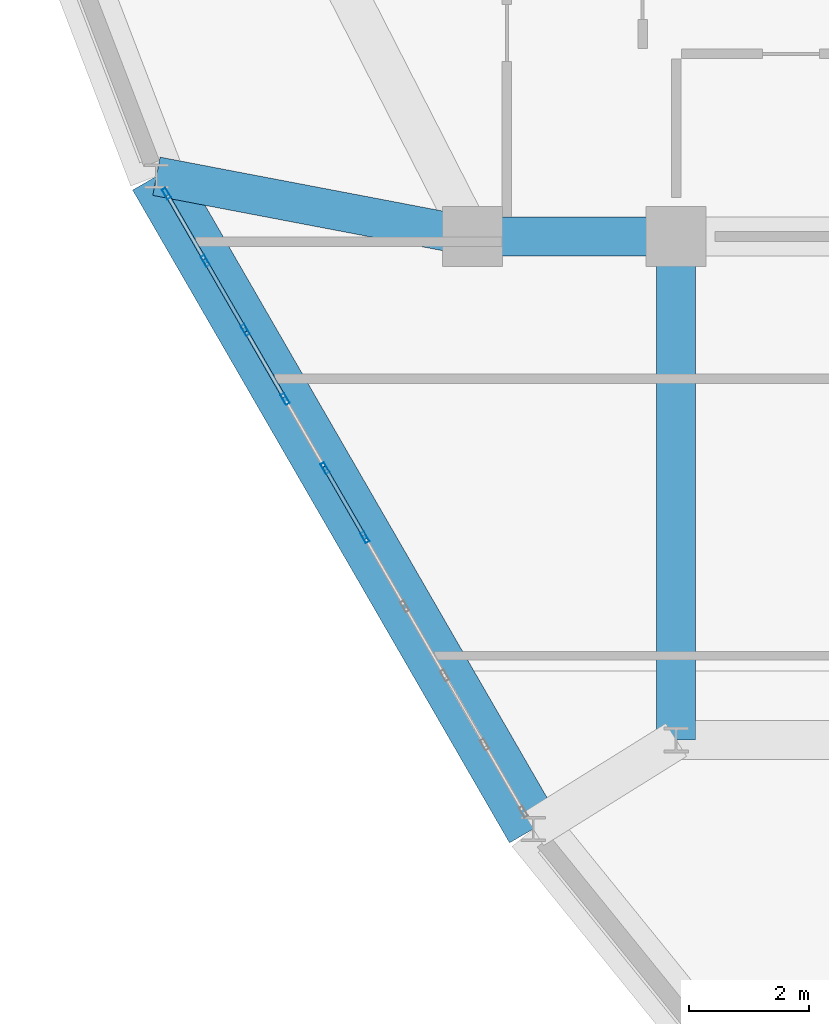
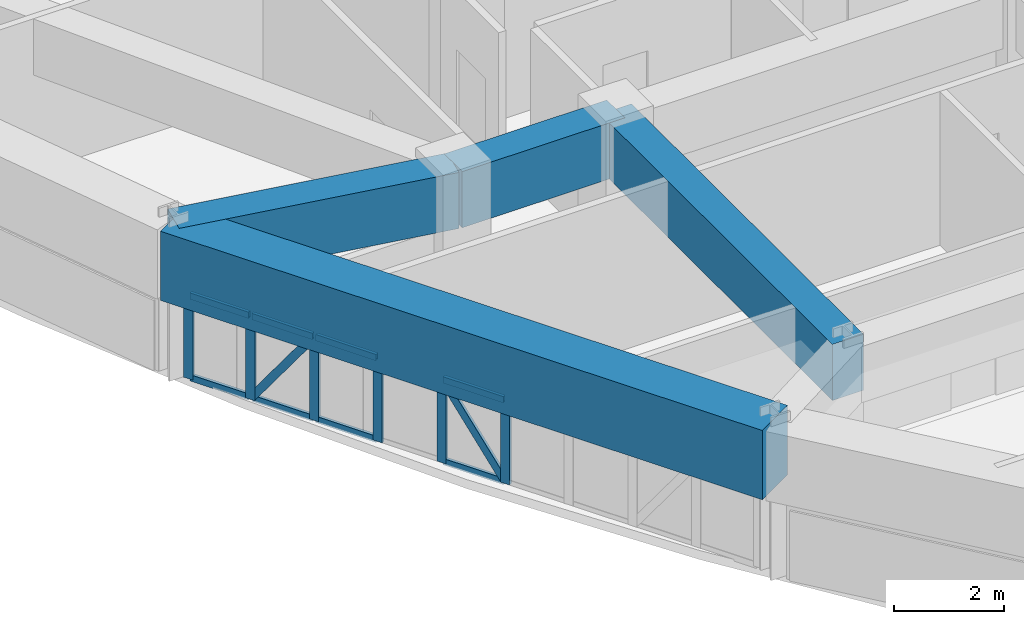
# One storey, part 4 of 13: 16 members, 4 beams, 1 element without a shape of its own.
"""IFC4 building model written with IfcOpenShell, lengths in metres."""

from ifc_helpers import new_model, si_unit, derived_unit, direction, frame, origin, origin_2d, place, context, subcontext, project, spatial, rectangle, hollow_rectangle, extrude, source, transform, mapped, material, layer, layer_set, material_profile, profile_set, type_object, element, aggregate, save


model = new_model("IFC4")

# Units and contexts
model_context = context("Model", 3, precision=1e-05, world=origin(), true_north=direction((0.0, 1.0)))
body_context = subcontext(model_context, "Body", "Model", "MODEL_VIEW")
ifc_project = project(units=[si_unit("LENGTHUNIT", "METRE"), si_unit("AREAUNIT", "SQUARE_METRE"), si_unit("VOLUMEUNIT", "CUBIC_METRE"), si_unit("PLANEANGLEUNIT", "RADIAN"), si_unit("MASSUNIT", "GRAM", prefix="KILO"), derived_unit("THERMALTRANSMITTANCEUNIT", [(si_unit("POWERUNIT", "WATT"), 1), (si_unit("LENGTHUNIT", "METRE"), -2), (si_unit("THERMODYNAMICTEMPERATUREUNIT", "KELVIN"), -1)])], contexts=[model_context])

# Site, building, storey
site_placement = place(None, origin())
site = spatial("IfcSite", under=ifc_project, at=site_placement, CompositionType="ELEMENT")
building_placement = place(site_placement, origin())
building = spatial("IfcBuilding", under=site, at=building_placement, Name="Korsvarv Bourse and Concert Hall", CompositionType="ELEMENT")
storey_placement = place(building_placement, frame((0.0, 0.0, 179.39990234375)))
storey = spatial("IfcBuildingStorey", under=building, at=storey_placement, Name="L46", CompositionType="ELEMENT", Elevation=179.39990234375)

# Beams
ifc_material_1 = material(Name="Concrete C50/60", Category="concrete")
ifc_material_profile_1 = material_profile(ifc_material_1, rectangle(XDim=0.64990234375, YDim=1.239990234375, at=origin_2d()), Name="RC-BM 650x1240")
ifc_profile_set_1 = profile_set([ifc_material_profile_1], Name="Concrete C50/60")
beam_type_1 = type_object("IfcBeamType", Name="BM-TR-SPN", PredefinedType="BEAM", material=ifc_profile_set_1)
shared_shape_1 = source(origin(), body_context, "Body", "SweptSolid", [
    extrude(rectangle(XDim=0.64990234375, YDim=1.239990234375, at=origin_2d()), origin(), (0.0, 0.0, 1.0), 3.400146484375),
])
beam_1_placement = place(storey_placement, frame((24.199951171875, 32.39990234375, 2.780029296875), z_axis=(1.0, 0.0, 0.0), x_axis=(0.0, 1.0, 0.0)))
element("IfcBeam", 1, at=beam_1_placement, inside=storey, type_object=beam_type_1, Name="L46 beam B-TRS", PredefinedType="BEAM", context=body_context, shape_type="MappedRepresentation", body=[
    mapped(shared_shape_1, transform((0.0, 0.0, 0.0), scale=1.0)),
])
shared_shape_2 = source(origin(), body_context, "Body", "SweptSolid", [
    extrude(rectangle(XDim=0.64990234375, YDim=1.239990234375, at=origin_2d()), origin(), (0.0, 0.0, 1.0), 8.39990234375),
])
beam_2_placement = place(storey_placement, frame((27.60009765625, 24.0, 2.780029296875), z_axis=(0.0, 1.0, 0.0), x_axis=(-1.0, 0.0, 0.0)))
element("IfcBeam", 2, at=beam_2_placement, inside=storey, type_object=beam_type_1, Name="L46 beam B-TRS", PredefinedType="BEAM", context=body_context, shape_type="MappedRepresentation", body=[
    mapped(shared_shape_2, transform((0.0, 0.0, 0.0), scale=1.0)),
])
ifc_material_profile_2 = material_profile(ifc_material_1, rectangle(XDim=0.919921875, YDim=1.530029296875, at=origin_2d()), Name="RC-BM 920x1530")
ifc_profile_set_2 = profile_set([ifc_material_profile_2], Name="Concrete C50/60")
beam_type_2 = type_object("IfcBeamType", Name="BM-TR-154", PredefinedType="BEAM", material=ifc_profile_set_2)
shared_shape_3 = source(origin(), body_context, "Body", "SweptSolid", [
    extrude(rectangle(XDim=0.919921875, YDim=1.530029296875, at=origin_2d()), origin(), (0.0, 0.0, 1.0), 12.57861328125),
])
beam_3_placement = place(storey_placement, frame((18.927490234375, 33.405517578125, 2.635009765625), z_axis=(0.500003032783, -0.866023652799, 0.0), x_axis=(0.866023652799, 0.500003032783, 0.0)))
element("IfcBeam", 3, at=beam_3_placement, inside=storey, type_object=beam_type_2, Name="L46 beam B-TR6", PredefinedType="BEAM", context=body_context, shape_type="MappedRepresentation", body=[
    mapped(shared_shape_3, transform((0.0, 0.0, 0.0), scale=1.0)),
])
shared_shape_4 = source(origin(), body_context, "Body", "SweptSolid", [
    extrude(rectangle(XDim=0.64990234375, YDim=1.239990234375, at=origin_2d()), origin(), (0.0, 0.0, 1.0), 5.367431640625),
])
beam_4_placement = place(storey_placement, frame((18.927490234375, 33.405517578125, 2.780029296875), z_axis=(0.982292753488, -0.187352465809, 0.0), x_axis=(0.187352465809, 0.982292753488, 0.0)))
element("IfcBeam", 4, at=beam_4_placement, inside=storey, type_object=beam_type_1, Name="L46 beam B-TRS", PredefinedType="BEAM", context=body_context, shape_type="MappedRepresentation", body=[
    mapped(shared_shape_4, transform((0.0, 0.0, 0.0), scale=1.0)),
])

# Curtain wall, members
ifc_material_2 = material(Name="Anodised aluminium and triple low-E glazing", Category="glass")
ifc_layer = layer(ifc_material_2, 0.199951171875)
ifc_layer_set = layer_set([ifc_layer], Name="Anodised aluminium and triple low-E glazing")
curtain_wall_type = type_object("IfcCurtainWallType", Name="CW-SYS-3", PredefinedType="NOTDEFINED", material=ifc_layer_set)
curtain_wall_placement = place(storey_placement, origin())
curtain_wall = element("IfcCurtainWall", 5, at=curtain_wall_placement, inside=storey, type_object=curtain_wall_type, Name="L46 CW3 curtain wall CW-L46-F07", PredefinedType="NOTDEFINED")
ifc_material_3 = material(Name="Extruded aluminium EN AW-6063 T66", Category="aluminium")
ifc_material_profile_3 = material_profile(ifc_material_3, hollow_rectangle(XDim=0.070068359375, YDim=0.18994140625, WallThickness=0.0048828125, at=origin_2d()), Name="ALU-M 70x190")
ifc_profile_set_3 = profile_set([ifc_material_profile_3], Name="Extruded aluminium EN AW-6063 T66")
member_type_1 = type_object("IfcMemberType", Name="CWM-190", PredefinedType="MULLION", material=ifc_profile_set_3)
shared_shape_5 = source(origin(), body_context, "Body", "SweptSolid", [
    extrude(hollow_rectangle(XDim=0.070068359375, YDim=0.18994140625, WallThickness=0.0048828125, at=origin_2d()), origin(), (0.0, 0.0, 1.0), 1.8701171875),
])
member_1_placement = place(storey_placement, frame((19.093994140625, 33.1171875, 0.0), z_axis=(0.0, 0.0, 1.0), x_axis=(0.866028825281, 0.499994073747, 0.0)))
member_1 = element("IfcMember", 6, at=member_1_placement, type_object=member_type_1, Name="CW3 mullion 1", PredefinedType="MULLION", context=body_context, shape_type="MappedRepresentation", body=[
    mapped(shared_shape_5, transform((0.0, 0.0, 0.0), scale=1.0)),
])
member_2_placement = place(storey_placement, frame((19.7421875, 31.994384765625, 0.0), z_axis=(0.0, 0.0, 1.0), x_axis=(0.866028825281, 0.499994073747, 0.0)))
member_2 = element("IfcMember", 7, at=member_2_placement, type_object=member_type_1, Name="CW3 mullion 2", PredefinedType="MULLION", context=body_context, shape_type="MappedRepresentation", body=[
    mapped(shared_shape_5, transform((0.0, 0.0, 0.0), scale=1.0)),
])
member_3_placement = place(storey_placement, frame((20.407958984375, 30.84130859375, 0.0), z_axis=(0.0, 0.0, 1.0), x_axis=(0.866028825281, 0.499994073747, 0.0)))
member_3 = element("IfcMember", 8, at=member_3_placement, type_object=member_type_1, Name="CW3 mullion 3", PredefinedType="MULLION", context=body_context, shape_type="MappedRepresentation", body=[
    mapped(shared_shape_5, transform((0.0, 0.0, 0.0), scale=1.0)),
])
member_4_placement = place(storey_placement, frame((21.07373046875, 29.6884765625, 0.0), z_axis=(0.0, 0.0, 1.0), x_axis=(0.866028825281, 0.499994073747, 0.0)))
member_4 = element("IfcMember", 9, at=member_4_placement, type_object=member_type_1, Name="CW3 mullion 4", PredefinedType="MULLION", context=body_context, shape_type="MappedRepresentation", body=[
    mapped(shared_shape_5, transform((0.0, 0.0, 0.0), scale=1.0)),
])
member_5_placement = place(storey_placement, frame((21.739501953125, 28.535400390625, 0.0), z_axis=(0.0, 0.0, 1.0), x_axis=(0.866028825281, 0.499994073747, 0.0)))
member_5 = element("IfcMember", 10, at=member_5_placement, type_object=member_type_1, Name="CW3 mullion 5", PredefinedType="MULLION", context=body_context, shape_type="MappedRepresentation", body=[
    mapped(shared_shape_5, transform((0.0, 0.0, 0.0), scale=1.0)),
])
member_6_placement = place(storey_placement, frame((22.405029296875, 27.38232421875, 0.0), z_axis=(0.0, 0.0, 1.0), x_axis=(0.866028825281, 0.499994073747, 0.0)))
member_6 = element("IfcMember", 11, at=member_6_placement, type_object=member_type_1, Name="CW3 mullion 6", PredefinedType="MULLION", context=body_context, shape_type="MappedRepresentation", body=[
    mapped(shared_shape_5, transform((0.0, 0.0, 0.0), scale=1.0)),
])
ifc_material_profile_4 = material_profile(ifc_material_3, hollow_rectangle(XDim=0.06494140625, YDim=0.139892578125, WallThickness=0.00390625, at=origin_2d()), Name="ALU-T 65x140")
ifc_profile_set_4 = profile_set([ifc_material_profile_4], Name="Extruded aluminium EN AW-6063 T66")
member_type_2 = type_object("IfcMemberType", Name="CWT-140", PredefinedType="USERDEFINED", material=ifc_profile_set_4)
shared_shape_6 = source(origin(), body_context, "Body", "SweptSolid", [
    extrude(hollow_rectangle(XDim=0.06494140625, YDim=0.139892578125, WallThickness=0.00390625, at=origin_2d()), origin(), (0.0, 0.0, 1.0), 1.2265625),
])
member_7_placement = place(storey_placement, frame((19.111572265625, 33.0869140625, 0.03271484375), z_axis=(0.49999238347, -0.866029801145, 0.0), x_axis=(0.866029801145, 0.49999238347, 0.0)))
member_7 = element("IfcMember", 12, at=member_7_placement, type_object=member_type_2, Name="CW3 transom 1.1", ObjectType="TRANSOM", PredefinedType="USERDEFINED", context=body_context, shape_type="MappedRepresentation", body=[
    mapped(shared_shape_6, transform((0.0, 0.0, 0.0), scale=1.0)),
])
member_8_placement = place(storey_placement, frame((19.111572265625, 33.0869140625, 1.837646484375), z_axis=(0.49999238347, -0.866029801145, 0.0), x_axis=(0.866029801145, 0.49999238347, 0.0)))
member_8 = element("IfcMember", 13, at=member_8_placement, type_object=member_type_2, Name="CW3 transom 1.2", ObjectType="TRANSOM", PredefinedType="USERDEFINED", context=body_context, shape_type="MappedRepresentation", body=[
    mapped(shared_shape_6, transform((0.0, 0.0, 0.0), scale=1.0)),
])
shared_shape_7 = source(origin(), body_context, "Body", "SweptSolid", [
    extrude(hollow_rectangle(XDim=0.06494140625, YDim=0.139892578125, WallThickness=0.00390625, at=origin_2d()), origin(), (0.0, 0.0, 1.0), 1.26123046875),
])
member_9_placement = place(storey_placement, frame((19.759765625, 31.964111328125, 0.03271484375), z_axis=(0.499990548297, -0.866030860659, 0.0), x_axis=(0.866030860659, 0.499990548297, 0.0)))
member_9 = element("IfcMember", 14, at=member_9_placement, type_object=member_type_2, Name="CW3 transom 2.1", ObjectType="TRANSOM", PredefinedType="USERDEFINED", context=body_context, shape_type="MappedRepresentation", body=[
    mapped(shared_shape_7, transform((0.0, 0.0, 0.0), scale=1.0)),
])
member_10_placement = place(storey_placement, frame((19.759765625, 31.964111328125, 1.837646484375), z_axis=(0.499990548297, -0.866030860659, 0.0), x_axis=(0.866030860659, 0.499990548297, 0.0)))
member_10 = element("IfcMember", 15, at=member_10_placement, type_object=member_type_2, Name="CW3 transom 2.2", ObjectType="TRANSOM", PredefinedType="USERDEFINED", context=body_context, shape_type="MappedRepresentation", body=[
    mapped(shared_shape_7, transform((0.0, 0.0, 0.0), scale=1.0)),
])
member_11_placement = place(storey_placement, frame((20.425537109375, 30.81103515625, 0.03271484375), z_axis=(0.499990548297, -0.866030860659, 0.0), x_axis=(0.866030860659, 0.499990548297, 0.0)))
member_11 = element("IfcMember", 16, at=member_11_placement, type_object=member_type_2, Name="CW3 transom 3.1", ObjectType="TRANSOM", PredefinedType="USERDEFINED", context=body_context, shape_type="MappedRepresentation", body=[
    mapped(shared_shape_7, transform((0.0, 0.0, 0.0), scale=1.0)),
])
member_12_placement = place(storey_placement, frame((20.425537109375, 30.81103515625, 1.837646484375), z_axis=(0.499990548297, -0.866030860659, 0.0), x_axis=(0.866030860659, 0.499990548297, 0.0)))
member_12 = element("IfcMember", 17, at=member_12_placement, type_object=member_type_2, Name="CW3 transom 3.2", ObjectType="TRANSOM", PredefinedType="USERDEFINED", context=body_context, shape_type="MappedRepresentation", body=[
    mapped(shared_shape_7, transform((0.0, 0.0, 0.0), scale=1.0)),
])
ifc_material_profile_5 = material_profile(ifc_material_3, hollow_rectangle(XDim=0.06494140625, YDim=0.1650390625, WallThickness=0.0048828125, at=origin_2d()), Name="ALU-M 65x165")
ifc_profile_set_5 = profile_set([ifc_material_profile_5], Name="Extruded aluminium EN AW-6063 T66")
member_type_3 = type_object("IfcMemberType", Name="CWM-165", PredefinedType="MULLION", material=ifc_profile_set_5)
shared_shape_8 = source(origin(), body_context, "Body", "SweptSolid", [
    extrude(hollow_rectangle(XDim=0.06494140625, YDim=0.1650390625, WallThickness=0.0048828125, at=origin_2d()), origin(), (0.0, 0.0, 1.0), 2.14892578125),
])
member_13_placement = place(storey_placement, frame((19.759765625, 31.964111328125, 0.065185546875), z_axis=(0.293441848657, -0.508269001506, 0.809663203786), x_axis=(0.866030860659, 0.499990548297, 0.0)))
member_13 = element("IfcMember", 18, at=member_13_placement, type_object=member_type_3, Name="CW3 diagonal mullion 2", PredefinedType="MULLION", context=body_context, shape_type="MappedRepresentation", body=[
    mapped(shared_shape_8, transform((0.0, 0.0, 0.0), scale=1.0)),
])
shared_shape_9 = source(origin(), body_context, "Body", "SweptSolid", [
    extrude(hollow_rectangle(XDim=0.06494140625, YDim=0.139892578125, WallThickness=0.00390625, at=origin_2d()), origin(), (0.0, 0.0, 1.0), 1.261474609375),
])
member_14_placement = place(storey_placement, frame((21.7568359375, 28.505126953125, 0.03271484375), z_axis=(0.500051892845, -0.865995441363, 0.0), x_axis=(0.865995441363, 0.500051892845, 0.0)))
member_14 = element("IfcMember", 19, at=member_14_placement, type_object=member_type_2, Name="CW3 transom 5.1", ObjectType="TRANSOM", PredefinedType="USERDEFINED", context=body_context, shape_type="MappedRepresentation", body=[
    mapped(shared_shape_9, transform((0.0, 0.0, 0.0), scale=1.0)),
])
member_15_placement = place(storey_placement, frame((21.7568359375, 28.505126953125, 1.837646484375), z_axis=(0.500051892845, -0.865995441363, 0.0), x_axis=(0.865995441363, 0.500051892845, 0.0)))
member_15 = element("IfcMember", 20, at=member_15_placement, type_object=member_type_2, Name="CW3 transom 5.2", ObjectType="TRANSOM", PredefinedType="USERDEFINED", context=body_context, shape_type="MappedRepresentation", body=[
    mapped(shared_shape_9, transform((0.0, 0.0, 0.0), scale=1.0)),
])
shared_shape_10 = source(origin(), body_context, "Body", "SweptSolid", [
    extrude(hollow_rectangle(XDim=0.06494140625, YDim=0.1650390625, WallThickness=0.0048828125, at=origin_2d()), origin(), (0.0, 0.0, 1.0), 2.149169921875),
])
member_16_placement = place(storey_placement, frame((22.3876953125, 27.41259765625, 0.065185546875), z_axis=(-0.293528717011, 0.508336303648, 0.809589460581), x_axis=(-0.865995441363, -0.500051892845, 0.0)))
member_16 = element("IfcMember", 21, at=member_16_placement, type_object=member_type_3, Name="CW3 diagonal mullion 5", PredefinedType="MULLION", context=body_context, shape_type="MappedRepresentation", body=[
    mapped(shared_shape_10, transform((0.0, 0.0, 0.0), scale=1.0)),
])
aggregate(curtain_wall, [member_1, member_2, member_3, member_4, member_5, member_6, member_7, member_8, member_9, member_10, member_13, member_11, member_12, member_14, member_15, member_16])

save(model, "model.ifc")
